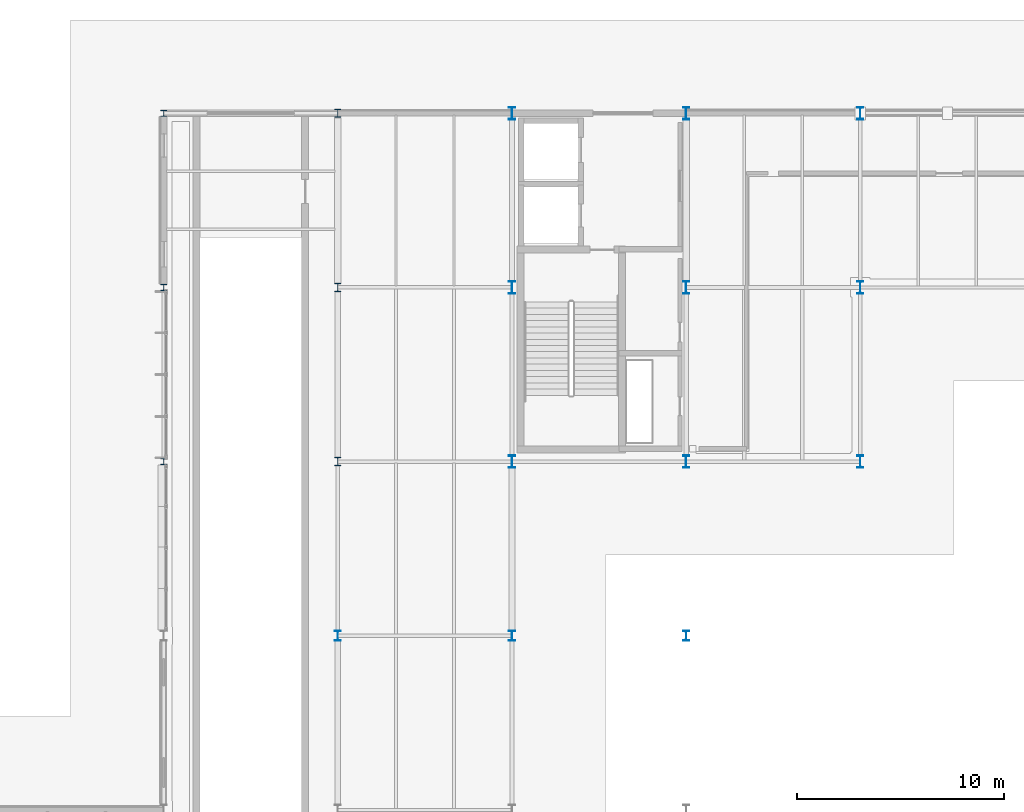
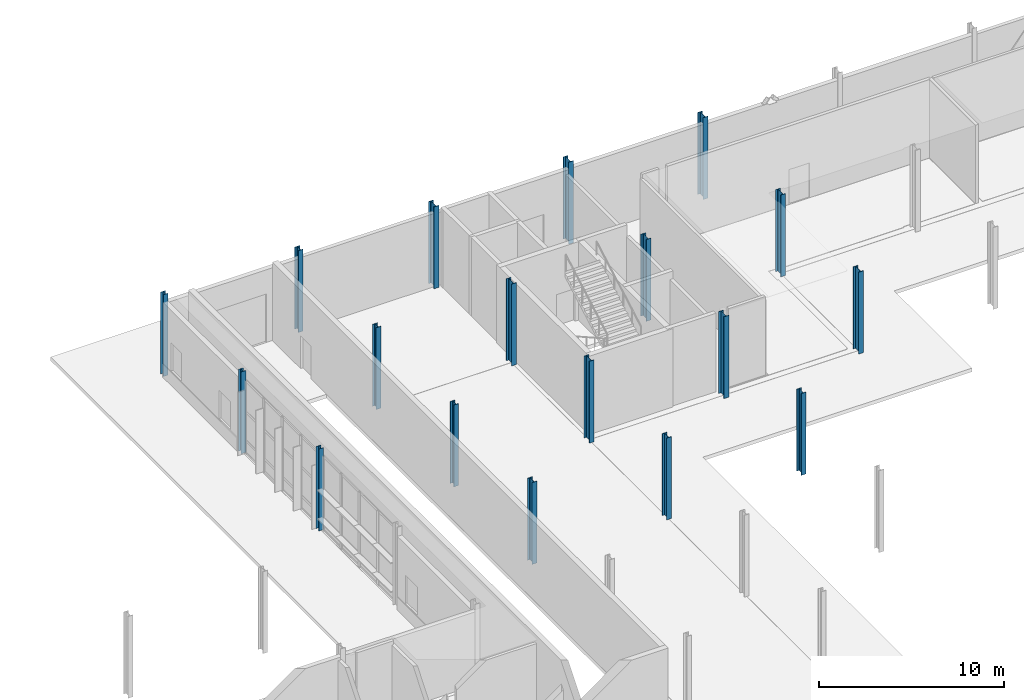
# One storey, part 10 of 124: 18 columns.
"""IFC4 building model written with IfcOpenShell, lengths in metres."""

from ifc_helpers import new_model, si_unit, direction, frame, origin, origin_2d, place, context, subcontext, project, spatial, i_section, extrude, material, material_profile, profile_set, type_object, element, save


model = new_model("IFC4")

# Units and contexts
model_context = context("Model", 3, precision=1e-05, world=origin(), true_north=direction((0.0, 1.0)))
body_context = subcontext(model_context, "Body", "Model", "MODEL_VIEW")
ifc_project = project(units=[si_unit("LENGTHUNIT", "METRE"), si_unit("AREAUNIT", "SQUARE_METRE"), si_unit("VOLUMEUNIT", "CUBIC_METRE"), si_unit("PLANEANGLEUNIT", "RADIAN"), si_unit("MASSUNIT", "GRAM", prefix="KILO")], contexts=[model_context])

# Site, building, storey
site_placement = place(None, origin())
site = spatial("IfcSite", under=ifc_project, at=site_placement, CompositionType="ELEMENT")
building_placement = place(site_placement, origin())
building = spatial("IfcBuilding", under=site, at=building_placement, Name="Mersafa Astral City Hall", CompositionType="ELEMENT")
storey_placement = place(building_placement, origin())
storey = spatial("IfcBuildingStorey", under=building, at=storey_placement, Name="L00", CompositionType="ELEMENT", Elevation=0.0)

# Columns
ifc_material = material(Name="Steel S355", Category="steel")
ifc_material_profile_1 = material_profile(ifc_material, i_section(OverallWidth=0.300048828125, OverallDepth=0.300048828125, WebThickness=0.010986328125, FlangeThickness=0.01904296875, FilletRadius=0.027099609375, at=origin_2d()), Name="HEB 300")
ifc_profile_set_1 = profile_set([ifc_material_profile_1], Name="Steel S355")
column_type_1 = type_object("IfcColumnType", Name="STR-COL-HEB300", PredefinedType="COLUMN", material=ifc_profile_set_1)
for number, where, z_axis, x_axis, name in (
    (1, (25.199951171875, 109.199951171875, 0.0), (0.0, 0.0, 1.0), (1.0, 0.0, 0.0), "L00 Structural column G-03-13"),
    (2, (25.199951171875, 117.60009765625, 0.0), (0.0, 0.0, 1.0), (1.0, 0.0, 0.0), "L00 Structural column G-03-14"),
    (3, (25.199951171875, 126.0, 0.0), (0.0, 0.0, 1.0), (1.0, 0.0, 0.0), "L00 Structural column G-03-15"),
):
    element("IfcColumn", number, at=place(storey_placement, frame(where, z_axis=z_axis, x_axis=x_axis)), inside=storey, type_object=column_type_1, Name=name, PredefinedType="COLUMN", context=body_context, shape_type="SweptSolid", body=[
        extrude(i_section(OverallWidth=0.300048828125, OverallDepth=0.300048828125, WebThickness=0.010986328125, FlangeThickness=0.01904296875, FilletRadius=0.027099609375, at=origin_2d()), origin(), (0.0, 0.0, 1.0), 5.39990234375),
    ])
ifc_material_profile_2 = material_profile(ifc_material, i_section(OverallWidth=0.300048828125, OverallDepth=0.39990234375, WebThickness=0.013427734375, FlangeThickness=0.02392578125, FilletRadius=0.027099609375, at=origin_2d()), Name="HEB 400")
ifc_profile_set_2 = profile_set([ifc_material_profile_2], Name="Steel S355")
column_type_2 = type_object("IfcColumnType", Name="STR-COL-HEB400", PredefinedType="COLUMN", material=ifc_profile_set_2)
for number, where, z_axis, x_axis, name in (
    (4, (33.60009765625, 109.199951171875, 0.0), (0.0, 0.0, 1.0), (1.0, 0.0, 0.0), "L00 Structural column G-04-13"),
    (5, (33.60009765625, 117.60009765625, 0.0), (0.0, 0.0, 1.0), (1.0, 0.0, 0.0), "L00 Structural column G-04-14"),
    (6, (33.60009765625, 126.0, 0.0), (0.0, 0.0, 1.0), (1.0, 0.0, 0.0), "L00 Structural column G-04-15"),
):
    element("IfcColumn", number, at=place(storey_placement, frame(where, z_axis=z_axis, x_axis=x_axis)), inside=storey, type_object=column_type_2, Name=name, PredefinedType="COLUMN", context=body_context, shape_type="SweptSolid", body=[
        extrude(i_section(OverallWidth=0.300048828125, OverallDepth=0.39990234375, WebThickness=0.013427734375, FlangeThickness=0.02392578125, FilletRadius=0.027099609375, at=origin_2d()), origin(), (0.0, 0.0, 1.0), 5.39990234375),
    ])
ifc_material_profile_3 = material_profile(ifc_material, i_section(OverallWidth=0.300048828125, OverallDepth=0.5, WebThickness=0.014404296875, FlangeThickness=0.028076171875, FilletRadius=0.027099609375, at=origin_2d()), Name="HEB 500")
ifc_profile_set_3 = profile_set([ifc_material_profile_3], Name="Steel S355")
column_type_3 = type_object("IfcColumnType", Name="STR-COL-HEB500", PredefinedType="COLUMN", material=ifc_profile_set_3)
for number, where, z_axis, x_axis, name in (
    (7, (33.60009765625, 100.800048828125, 0.0), (0.0, 0.0, 1.0), (1.0, 0.0, 0.0), "L00 Structural column G-04-12"),
    (8, (42.0, 100.800048828125, 0.0), (0.0, 0.0, 1.0), (1.0, 0.0, 0.0), "L00 Structural column G-05-12"),
    (9, (50.39990234375, 100.800048828125, 0.0), (0.0, 0.0, 1.0), (1.0, 0.0, 0.0), "L00 Structural column G-06-12"),
):
    element("IfcColumn", number, at=place(storey_placement, frame(where, z_axis=z_axis, x_axis=x_axis)), inside=storey, type_object=column_type_3, Name=name, PredefinedType="COLUMN", context=body_context, shape_type="SweptSolid", body=[
        extrude(i_section(OverallWidth=0.300048828125, OverallDepth=0.5, WebThickness=0.014404296875, FlangeThickness=0.028076171875, FilletRadius=0.027099609375, at=origin_2d()), origin(), (0.0, 0.0, 1.0), 5.39990234375),
    ])
ifc_material_profile_4 = material_profile(ifc_material, i_section(OverallWidth=0.300048828125, OverallDepth=0.60009765625, WebThickness=0.015380859375, FlangeThickness=0.030029296875, FilletRadius=0.027099609375, at=origin_2d()), Name="HEB 600")
ifc_profile_set_4 = profile_set([ifc_material_profile_4], Name="Steel S355")
column_type_4 = type_object("IfcColumnType", Name="STR-COL-HEB600", PredefinedType="COLUMN", material=ifc_profile_set_4)
for number, where, z_axis, x_axis, name in (
    (10, (42.0, 109.199951171875, 0.0), (0.0, 0.0, 1.0), (1.0, 0.0, 0.0), "L00 Structural column G-05-13"),
    (11, (42.0, 117.60009765625, 0.0), (0.0, 0.0, 1.0), (1.0, 0.0, 0.0), "L00 Structural column G-05-14"),
    (12, (42.0, 126.0, 0.0), (0.0, 0.0, 1.0), (1.0, 0.0, 0.0), "L00 Structural column G-05-15"),
    (13, (50.39990234375, 109.199951171875, 0.0), (0.0, 0.0, 1.0), (1.0, 0.0, 0.0), "L00 Structural column G-06-13"),
    (14, (50.39990234375, 117.60009765625, 0.0), (0.0, 0.0, 1.0), (1.0, 0.0, 0.0), "L00 Structural column G-06-14"),
    (15, (50.39990234375, 126.0, 0.0), (0.0, 0.0, 1.0), (1.0, 0.0, 0.0), "L00 Structural column G-06-15"),
    (16, (58.800048828125, 109.199951171875, 0.0), (0.0, 0.0, 1.0), (1.0, 0.0, 0.0), "L00 Structural column G-07-13"),
    (17, (58.800048828125, 117.60009765625, 0.0), (0.0, 0.0, 1.0), (1.0, 0.0, 0.0), "L00 Structural column G-07-14"),
    (18, (58.800048828125, 126.0, 0.0), (0.0, 0.0, 1.0), (1.0, 0.0, 0.0), "L00 Structural column G-07-15"),
):
    element("IfcColumn", number, at=place(storey_placement, frame(where, z_axis=z_axis, x_axis=x_axis)), inside=storey, type_object=column_type_4, Name=name, PredefinedType="COLUMN", context=body_context, shape_type="SweptSolid", body=[
        extrude(i_section(OverallWidth=0.300048828125, OverallDepth=0.60009765625, WebThickness=0.015380859375, FlangeThickness=0.030029296875, FilletRadius=0.027099609375, at=origin_2d()), origin(), (0.0, 0.0, 1.0), 5.39990234375),
    ])

save(model, "model.ifc")
